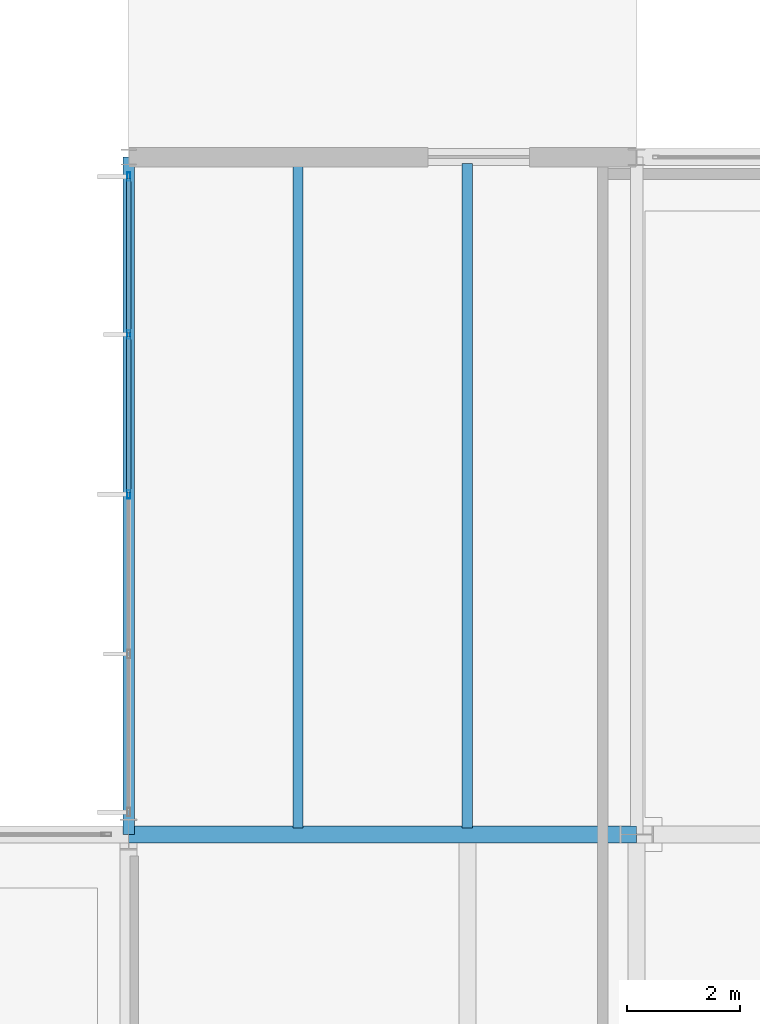
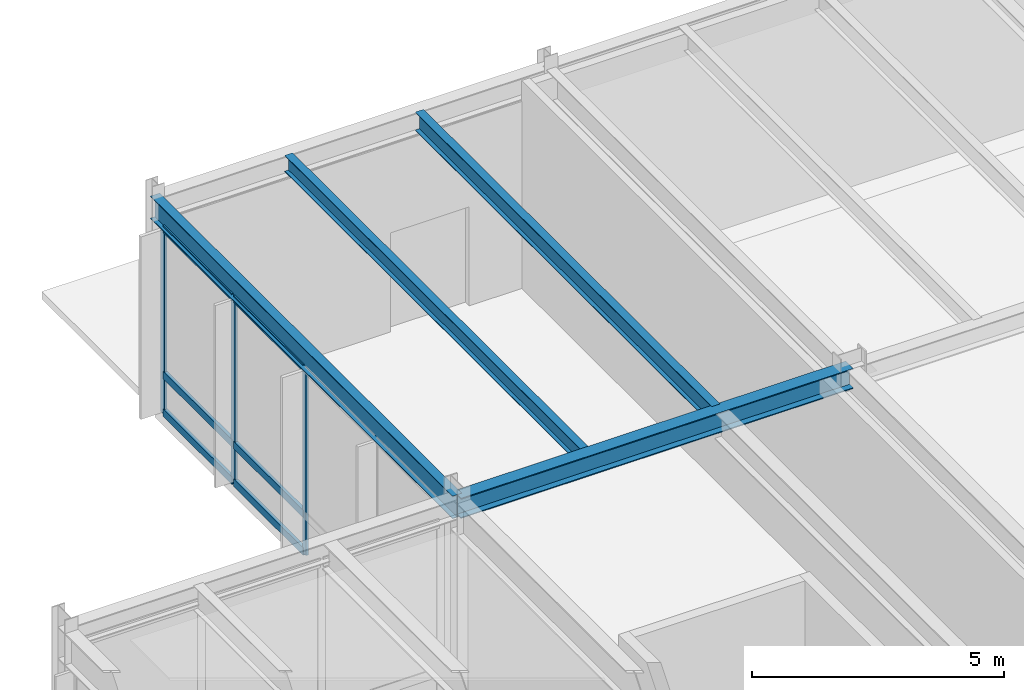
# One storey, part 63 of 143: 9 members, 4 beams, 1 element without a shape of its own.
"""IFC4 building model written with IfcOpenShell, lengths in metres."""

import ifcopenshell
import ifcopenshell.guid

model = None  # the IFC model being written
_history = None  # IfcOwnerHistory: only IFC2X3 demands one
_inside = {}  # id of a spatial element -> (the spatial element, [elements in it])
_under = {}  # id of a project, library or spatial element -> (it, [spatial elements below it])
_declared = {}  # id of a project -> (the project, [libraries it declares])
_typed = {}  # id of a type object -> (the type object, [elements of that type])
_made_of = {}  # id of a material, layer set ... -> (it, [elements and type objects made of it])


def new_model(schema):
    """Start an empty IFC model of exactly this schema.

    Asked for "IFC4X3", IfcOpenShell would pick the latest addendum, in which some entities
    have other attributes; the version numbers below select the first issue.
    IFC2X3 requires an IfcOwnerHistory on every rooted entity: one is made here for all.
    """
    global model, _history
    if schema == "IFC4X3":
        model = ifcopenshell.file(schema_version=(4, 3, 0, 0))
    else:
        model = ifcopenshell.file(schema=schema)
    _inside.clear()
    _under.clear()
    _declared.clear()
    _typed.clear()
    _made_of.clear()
    _history = None
    if model.schema == "IFC2X3":
        org = make("IfcOrganization", Name="unknown")
        user = make(
            "IfcPersonAndOrganization",
            ThePerson=make("IfcPerson", FamilyName="unknown"),
            TheOrganization=org,
        )
        app = make(
            "IfcApplication",
            ApplicationDeveloper=org,
            Version="unknown",
            ApplicationFullName="unknown",
            ApplicationIdentifier="unknown",
        )
        _history = make(
            "IfcOwnerHistory",
            OwningUser=user,
            OwningApplication=app,
            ChangeAction="ADDED",
            CreationDate=0,
        )
    return model


def make(cls, **values):
    """One entity of the class cls with the attributes given. An attribute that is None is left unset."""
    return model.create_entity(
        cls, **{name: value for name, value in values.items() if value is not None}
    )


def rooted(cls, **values):
    """An entity with a GlobalId (a new one), such as an element, a storey or a relation."""
    return make(cls, GlobalId=ifcopenshell.guid.new(), OwnerHistory=_history, **values)


def si_unit(unit_type, name, prefix=None):
    """IfcSIUnit, for example si_unit("LENGTHUNIT", "METRE", prefix="MILLI")."""
    return make("IfcSIUnit", UnitType=unit_type, Prefix=prefix, Name=name)


def assignment(units):
    """IfcUnitAssignment: the units of a project."""
    return None if units is None else make("IfcUnitAssignment", Units=units)


def point(xyz):
    """IfcCartesianPoint."""
    return None if xyz is None else make("IfcCartesianPoint", Coordinates=xyz)


def direction(xyz):
    """IfcDirection."""
    return None if xyz is None else make("IfcDirection", DirectionRatios=xyz)


def frame(location, z_axis=None, x_axis=None):
    """IfcAxis2Placement3D, a coordinate frame: its origin and axes. An axis left out is left unset."""
    return make(
        "IfcAxis2Placement3D",
        Location=point(location),
        Axis=direction(z_axis),
        RefDirection=direction(x_axis),
    )


def frame_2d(location, x_axis=None):
    """IfcAxis2Placement2D, a coordinate frame in the plane: its origin and x axis."""
    return make(
        "IfcAxis2Placement2D", Location=point(location), RefDirection=direction(x_axis)
    )


def origin():
    """The frame at (0, 0, 0) with its axes left unset."""
    return frame((0.0, 0.0, 0.0))


def origin_2d():
    """The frame at (0, 0) in the plane with its x axis left unset."""
    return frame_2d((0.0, 0.0))


def place(relative_to, where):
    """IfcLocalPlacement: puts the frame where relative to a parent placement (None: the world)."""
    return make(
        "IfcLocalPlacement", PlacementRelTo=relative_to, RelativePlacement=where
    )


def context(
    kind, dimensions, precision=None, world=None, true_north=None, identifier=None
):
    """IfcGeometricRepresentationContext, for example the 3D "Model" context."""
    return make(
        "IfcGeometricRepresentationContext",
        ContextIdentifier=identifier,
        ContextType=kind,
        CoordinateSpaceDimension=dimensions,
        Precision=precision,
        WorldCoordinateSystem=world,
        TrueNorth=true_north,
    )


def subcontext(parent, identifier, kind, view, scale=None):
    """IfcGeometricRepresentationSubContext, for example "Body" below "Model"."""
    return make(
        "IfcGeometricRepresentationSubContext",
        ContextIdentifier=identifier,
        ContextType=kind,
        ParentContext=parent,
        TargetScale=scale,
        TargetView=view,
    )


def project(units=None, contexts=None):
    """IfcProject with its units and contexts."""
    return rooted(
        "IfcProject",
        Name="project",
        RepresentationContexts=contexts,
        UnitsInContext=assignment(units),
    )


def spatial(cls, under=None, at=None, **own):
    """A site, building, storey or space (cls), placed at a placement, below another one or the project."""
    s = rooted(cls, ObjectPlacement=at, **own)
    if under is not None:
        _under.setdefault(under.id(), (under, []))[1].append(s)
    return s


def profile(cls, at=None, kind="AREA", **sizes):
    """A parametric profile (cls). Its sizes go by their IFC names, for example OverallWidth=200.0."""
    return make(cls, ProfileType=kind, Position=at, **sizes)


def hollow_rectangle(**sizes):
    """IfcRectangleHollowProfileDef."""
    return profile("IfcRectangleHollowProfileDef", **sizes)


def i_section(**sizes):
    """IfcIShapeProfileDef."""
    return profile("IfcIShapeProfileDef", **sizes)


def extrude(swept, where, along, depth):
    """IfcExtrudedAreaSolid: the profile swept, set in the frame where, extruded along a direction by depth."""
    return make(
        "IfcExtrudedAreaSolid",
        SweptArea=swept,
        Position=where,
        ExtrudedDirection=direction(along),
        Depth=depth,
    )


def shape(context_of_items, identifier, shape_type, items):
    """IfcShapeRepresentation: the items that make up one representation, for example the "Body"."""
    return make(
        "IfcShapeRepresentation",
        ContextOfItems=context_of_items,
        RepresentationIdentifier=identifier,
        RepresentationType=shape_type,
        Items=items,
    )


def material(Name=None, Category=None):
    """IfcMaterial."""
    return make("IfcMaterial", Name=Name, Category=Category)


def layer(
    of_material, thickness, ventilated=None, Name=None, Category=None, Priority=None
):
    """IfcMaterialLayer: one layer of a wall or slab, of a material (None: an air gap)."""
    return make(
        "IfcMaterialLayer",
        Material=of_material,
        LayerThickness=thickness,
        IsVentilated=ventilated,
        Name=Name,
        Category=Category,
        Priority=Priority,
    )


def layer_set(layers, Name=None):
    """IfcMaterialLayerSet."""
    return make("IfcMaterialLayerSet", MaterialLayers=layers, LayerSetName=Name)


def material_profile(
    of_material, cross_section, Name=None, Category=None, Priority=None
):
    """IfcMaterialProfile: a cross section and its material."""
    return make(
        "IfcMaterialProfile",
        Name=Name,
        Material=of_material,
        Profile=cross_section,
        Priority=Priority,
        Category=Category,
    )


def profile_set(profiles, Name=None, composite=None):
    """IfcMaterialProfileSet."""
    return make(
        "IfcMaterialProfileSet",
        Name=Name,
        MaterialProfiles=profiles,
        CompositeProfile=composite,
    )


def made_of(thing, what):
    """Note that an element or type object is made of a material, layer set ...; save() writes the relation."""
    if what is not None:
        _made_of.setdefault(what.id(), (what, []))[1].append(thing)
    return thing


def type_object(cls, material=None, **own):
    """A type object (cls), such as IfcWallType, which elements share."""
    return made_of(rooted(cls, **own), material)


def element(
    cls,
    number,
    at=None,
    inside=None,
    cuts=None,
    type_object=None,
    material=None,
    context=None,
    identifier="Body",
    shape_type=None,
    held_by="IfcProductDefinitionShape",
    body=None,
    shapes=None,
    **own,
):
    """One element of the class cls, such as IfcWall. Its Tag is "e" and its number.

    at: its placement. inside: the storey or other place that contains it. cuts: it is an
    opening in that element (IfcRelVoidsElement). A single representation is given by context,
    identifier, shape_type and body (its items); several are given by shapes. held_by: the class
    of the entity that holds the representations. save() writes the other relations.
    """
    e = rooted(cls, Tag="e%d" % number, ObjectPlacement=at, **own)
    if body is not None:
        shapes = [shape(context, identifier, shape_type, body)]
    if shapes is not None:
        e.Representation = make(held_by, Representations=shapes)
    if inside is not None:
        _inside.setdefault(inside.id(), (inside, []))[1].append(e)
    if cuts is not None:
        rooted(
            "IfcRelVoidsElement", RelatingBuildingElement=cuts, RelatedOpeningElement=e
        )
    if type_object is not None:
        _typed.setdefault(type_object.id(), (type_object, []))[1].append(e)
    return made_of(e, material)


def aggregate(whole, parts):
    """IfcRelAggregates: a whole, such as a stair, and the parts it consists of."""
    return rooted("IfcRelAggregates", RelatingObject=whole, RelatedObjects=parts)


def save(model, path):
    """Write the relations noted so far, then the file.

    IfcRelAggregates (storeys below a building ...), IfcRelContainedInSpatialStructure (elements
    in a storey), IfcRelDefinesByType, IfcRelAssociatesMaterial and IfcRelDeclares: one each for
    every whole, place, type object, material and project.
    """
    for whole, parts in _under.values():
        aggregate(whole, parts)
    for where, things in _inside.values():
        rooted(
            "IfcRelContainedInSpatialStructure",
            RelatedElements=things,
            RelatingStructure=where,
        )
    for kind, things in _typed.values():
        rooted("IfcRelDefinesByType", RelatedObjects=things, RelatingType=kind)
    for what, things in _made_of.values():
        rooted("IfcRelAssociatesMaterial", RelatedObjects=things, RelatingMaterial=what)
    for by, libraries in _declared.values():
        rooted("IfcRelDeclares", RelatingContext=by, RelatedDefinitions=libraries)
    model.write(path)


model = new_model("IFC4")

# Units and contexts
model_context = context("Model", 3, precision=1e-05, world=origin(), true_north=direction((0.0, 1.0)))
body_context = subcontext(model_context, "Body", "Model", "MODEL_VIEW")
ifc_project = project(units=[si_unit("LENGTHUNIT", "METRE"), si_unit("AREAUNIT", "SQUARE_METRE"), si_unit("VOLUMEUNIT", "CUBIC_METRE"), si_unit("PLANEANGLEUNIT", "RADIAN"), si_unit("MASSUNIT", "GRAM", prefix="KILO")], contexts=[model_context])

# Site, building, storey
site_placement = place(None, origin())
site = spatial("IfcSite", under=ifc_project, at=site_placement, CompositionType="ELEMENT")
building_placement = place(site_placement, origin())
building = spatial("IfcBuilding", under=site, at=building_placement, Name="Montelvaro Courts of Justice", CompositionType="ELEMENT")
storey_placement = place(building_placement, origin())
storey = spatial("IfcBuildingStorey", under=building, at=storey_placement, Name="L00", CompositionType="ELEMENT", Elevation=0.0)

# Beams
ifc_material_1 = material(Name="Steel S355", Category="steel")
ifc_material_profile_1 = material_profile(ifc_material_1, i_section(OverallWidth=0.300048828125, OverallDepth=0.489990234375, WebThickness=0.011962890625, FlangeThickness=0.02294921875, at=origin_2d()), Name="HEA 500")
ifc_profile_set_1 = profile_set([ifc_material_profile_1], Name="Steel S355")
beam_type_1 = type_object("IfcBeamType", Name="Beam_HEA500", PredefinedType="USERDEFINED", material=ifc_profile_set_1)
beam_1_placement = place(storey_placement, frame((27.0, 96.0, 4.8349609375), z_axis=(1.0, 0.0, 0.0), x_axis=(0.0, 1.0, 0.0)))
element("IfcBeam", 1, at=beam_1_placement, inside=storey, type_object=beam_type_1, Name="Beam B-19 L00", ObjectType="GIRDER", PredefinedType="USERDEFINED", context=body_context, shape_type="SweptSolid", body=[
    extrude(i_section(OverallWidth=0.300048828125, OverallDepth=0.489990234375, WebThickness=0.011962890625, FlangeThickness=0.02294921875, at=origin_2d()), origin(), (0.0, 0.0, 1.0), 9.0),
])
ifc_material_profile_2 = material_profile(ifc_material_1, i_section(OverallWidth=0.179931640625, OverallDepth=0.39990234375, WebThickness=0.008544921875, FlangeThickness=0.013427734375, at=origin_2d()), Name="IPE 400")
ifc_profile_set_2 = profile_set([ifc_material_profile_2], Name="Steel S355")
beam_type_2 = type_object("IfcBeamType", Name="Beam_IPE400", PredefinedType="BEAM", material=ifc_profile_set_2)
beam_2_placement = place(storey_placement, frame((30.0, 96.110107421875, 4.8798828125), z_axis=(0.0, 1.0, 0.0), x_axis=(-1.0, 0.0, 0.0)))
element("IfcBeam", 2, at=beam_2_placement, inside=storey, type_object=beam_type_2, Name="Beam B-08 L00", PredefinedType="BEAM", context=body_context, shape_type="SweptSolid", body=[
    extrude(i_section(OverallWidth=0.179931640625, OverallDepth=0.39990234375, WebThickness=0.008544921875, FlangeThickness=0.013427734375, at=origin_2d()), origin(), (0.0, 0.0, 1.0), 11.77978515625),
])
ifc_material_profile_3 = material_profile(ifc_material_1, i_section(OverallWidth=0.18994140625, OverallDepth=0.449951171875, WebThickness=0.009521484375, FlangeThickness=0.0146484375, at=origin_2d()), Name="IPE 450")
ifc_profile_set_3 = profile_set([ifc_material_profile_3], Name="Steel S355")
beam_type_3 = type_object("IfcBeamType", Name="Beam_IPE450", PredefinedType="BEAM", material=ifc_profile_set_3)
beam_3_placement = place(storey_placement, frame((33.0, 96.110107421875, 4.85498046875), z_axis=(0.0, 1.0, 0.0), x_axis=(-1.0, 0.0, 0.0)))
element("IfcBeam", 3, at=beam_3_placement, inside=storey, type_object=beam_type_3, Name="Beam B-09 L00", PredefinedType="BEAM", context=body_context, shape_type="SweptSolid", body=[
    extrude(i_section(OverallWidth=0.18994140625, OverallDepth=0.449951171875, WebThickness=0.009521484375, FlangeThickness=0.0146484375, at=origin_2d()), origin(), (0.0, 0.0, 1.0), 11.77978515625),
])
ifc_material_profile_4 = material_profile(ifc_material_1, i_section(OverallWidth=0.2099609375, OverallDepth=0.550048828125, WebThickness=0.010986328125, FlangeThickness=0.01708984375, at=origin_2d()), Name="IPE 550")
ifc_profile_set_4 = profile_set([ifc_material_profile_4], Name="Steel S355")
beam_type_4 = type_object("IfcBeamType", Name="Beam_IPE550", PredefinedType="BEAM", material=ifc_profile_set_4)
beam_4_placement = place(storey_placement, frame((27.0, 96.0, 4.804931640625), z_axis=(0.0, 1.0, 0.0), x_axis=(-1.0, 0.0, 0.0)))
element("IfcBeam", 4, at=beam_4_placement, inside=storey, type_object=beam_type_4, Name="Beam B-11 L00", PredefinedType="BEAM", context=body_context, shape_type="SweptSolid", body=[
    extrude(i_section(OverallWidth=0.2099609375, OverallDepth=0.550048828125, WebThickness=0.010986328125, FlangeThickness=0.01708984375, at=origin_2d()), origin(), (0.0, 0.0, 1.0), 12.0),
])

# Curtain wall, members
ifc_material_2 = material(Name="Anodised aluminium EN AW-6063", Category="aluminium")
ifc_layer = layer(ifc_material_2, 0.159912109375)
ifc_layer_set = layer_set([ifc_layer], Name="Anodised aluminium EN AW-6063")
curtain_wall_type = type_object("IfcCurtainWallType", Name="CurtainWall_03_1132x508", PredefinedType="USERDEFINED", material=ifc_layer_set)
curtain_wall_placement = place(storey_placement, origin())
curtain_wall = element("IfcCurtainWall", 5, at=curtain_wall_placement, inside=storey, type_object=curtain_wall_type, Name="Curtain Wall CW-03 (L00)", ObjectType="CURTAIN WALL", PredefinedType="USERDEFINED")
ifc_material_profile_5 = material_profile(ifc_material_2, hollow_rectangle(XDim=0.06005859375, YDim=0.14990234375, WallThickness=0.00390625, at=origin_2d()), Name="ALU-M 60x150")
ifc_profile_set_5 = profile_set([ifc_material_profile_5], Name="Anodised aluminium EN AW-6063")
member_type_1 = type_object("IfcMemberType", Name="CurtainWall_Mullion_60x150", PredefinedType="MULLION", material=ifc_profile_set_5)
member_1_placement = place(storey_placement, frame((27.0, 107.655029296875, 0.0), z_axis=(0.0, 0.0, 1.0), x_axis=(1.0, 0.0, 0.0)))
member_1 = element("IfcMember", 6, at=member_1_placement, type_object=member_type_1, Name="CW-03 mullion 1", PredefinedType="MULLION", context=body_context, shape_type="SweptSolid", body=[
    extrude(hollow_rectangle(XDim=0.06005859375, YDim=0.14990234375, WallThickness=0.00390625, at=origin_2d()), origin(), (0.0, 0.0, 1.0), 4.52490234375),
])
member_2_placement = place(storey_placement, frame((27.0, 104.85498046875, 0.0), z_axis=(0.0, 0.0, 1.0), x_axis=(1.0, 0.0, 0.0)))
member_2 = element("IfcMember", 7, at=member_2_placement, type_object=member_type_1, Name="CW-03 mullion 2", PredefinedType="MULLION", context=body_context, shape_type="SweptSolid", body=[
    extrude(hollow_rectangle(XDim=0.06005859375, YDim=0.14990234375, WallThickness=0.00390625, at=origin_2d()), origin(), (0.0, 0.0, 1.0), 4.52490234375),
])
member_3_placement = place(storey_placement, frame((27.0, 102.02490234375, 0.0), z_axis=(0.0, 0.0, 1.0), x_axis=(1.0, 0.0, 0.0)))
member_3 = element("IfcMember", 8, at=member_3_placement, type_object=member_type_1, Name="CW-03 mullion 3", PredefinedType="MULLION", context=body_context, shape_type="SweptSolid", body=[
    extrude(hollow_rectangle(XDim=0.06005859375, YDim=0.14990234375, WallThickness=0.00390625, at=origin_2d()), origin(), (0.0, 0.0, 1.0), 4.52490234375),
])
ifc_material_profile_6 = material_profile(ifc_material_2, hollow_rectangle(XDim=0.074951171875, YDim=0.179931640625, WallThickness=0.0048828125, at=origin_2d()), Name="ALU-T 75x180")
ifc_profile_set_6 = profile_set([ifc_material_profile_6], Name="Anodised aluminium EN AW-6063")
member_type_2 = type_object("IfcMemberType", Name="CurtainWall_Transom_75x180", PredefinedType="USERDEFINED", material=ifc_profile_set_6)
member_4_placement = place(storey_placement, frame((27.0, 107.625, 0.03759765625), z_axis=(0.0, -1.0, 0.0), x_axis=(1.0, 0.0, 0.0)))
member_4 = element("IfcMember", 9, at=member_4_placement, type_object=member_type_2, Name="CW-03 transom 1.1", ObjectType="TRANSOM", PredefinedType="USERDEFINED", context=body_context, shape_type="SweptSolid", body=[
    extrude(hollow_rectangle(XDim=0.074951171875, YDim=0.179931640625, WallThickness=0.0048828125, at=origin_2d()), origin(), (0.0, 0.0, 1.0), 2.739990234375),
])
member_5_placement = place(storey_placement, frame((27.0, 107.625, 0.949951171875), z_axis=(0.0, -1.0, 0.0), x_axis=(1.0, 0.0, 0.0)))
member_5 = element("IfcMember", 10, at=member_5_placement, type_object=member_type_2, Name="CW-03 transom 1.2", ObjectType="TRANSOM", PredefinedType="USERDEFINED", context=body_context, shape_type="SweptSolid", body=[
    extrude(hollow_rectangle(XDim=0.074951171875, YDim=0.179931640625, WallThickness=0.0048828125, at=origin_2d()), origin(), (0.0, 0.0, 1.0), 2.739990234375),
])
member_6_placement = place(storey_placement, frame((27.0, 107.625, 4.487548828125), z_axis=(0.0, -1.0, 0.0), x_axis=(1.0, 0.0, 0.0)))
member_6 = element("IfcMember", 11, at=member_6_placement, type_object=member_type_2, Name="CW-03 transom 1.3", ObjectType="TRANSOM", PredefinedType="USERDEFINED", context=body_context, shape_type="SweptSolid", body=[
    extrude(hollow_rectangle(XDim=0.074951171875, YDim=0.179931640625, WallThickness=0.0048828125, at=origin_2d()), origin(), (0.0, 0.0, 1.0), 2.739990234375),
])
member_7_placement = place(storey_placement, frame((27.0, 104.824951171875, 0.03759765625), z_axis=(0.0, -1.0, 0.0), x_axis=(1.0, 0.0, 0.0)))
member_7 = element("IfcMember", 12, at=member_7_placement, type_object=member_type_2, Name="CW-03 transom 2.1", ObjectType="TRANSOM", PredefinedType="USERDEFINED", context=body_context, shape_type="SweptSolid", body=[
    extrude(hollow_rectangle(XDim=0.074951171875, YDim=0.179931640625, WallThickness=0.0048828125, at=origin_2d()), origin(), (0.0, 0.0, 1.0), 2.77001953125),
])
member_8_placement = place(storey_placement, frame((27.0, 104.824951171875, 0.949951171875), z_axis=(0.0, -1.0, 0.0), x_axis=(1.0, 0.0, 0.0)))
member_8 = element("IfcMember", 13, at=member_8_placement, type_object=member_type_2, Name="CW-03 transom 2.2", ObjectType="TRANSOM", PredefinedType="USERDEFINED", context=body_context, shape_type="SweptSolid", body=[
    extrude(hollow_rectangle(XDim=0.074951171875, YDim=0.179931640625, WallThickness=0.0048828125, at=origin_2d()), origin(), (0.0, 0.0, 1.0), 2.77001953125),
])
member_9_placement = place(storey_placement, frame((27.0, 104.824951171875, 4.487548828125), z_axis=(0.0, -1.0, 0.0), x_axis=(1.0, 0.0, 0.0)))
member_9 = element("IfcMember", 14, at=member_9_placement, type_object=member_type_2, Name="CW-03 transom 2.3", ObjectType="TRANSOM", PredefinedType="USERDEFINED", context=body_context, shape_type="SweptSolid", body=[
    extrude(hollow_rectangle(XDim=0.074951171875, YDim=0.179931640625, WallThickness=0.0048828125, at=origin_2d()), origin(), (0.0, 0.0, 1.0), 2.77001953125),
])
aggregate(curtain_wall, [member_1, member_2, member_3, member_4, member_5, member_6, member_7, member_8, member_9])

save(model, "model.ifc")
